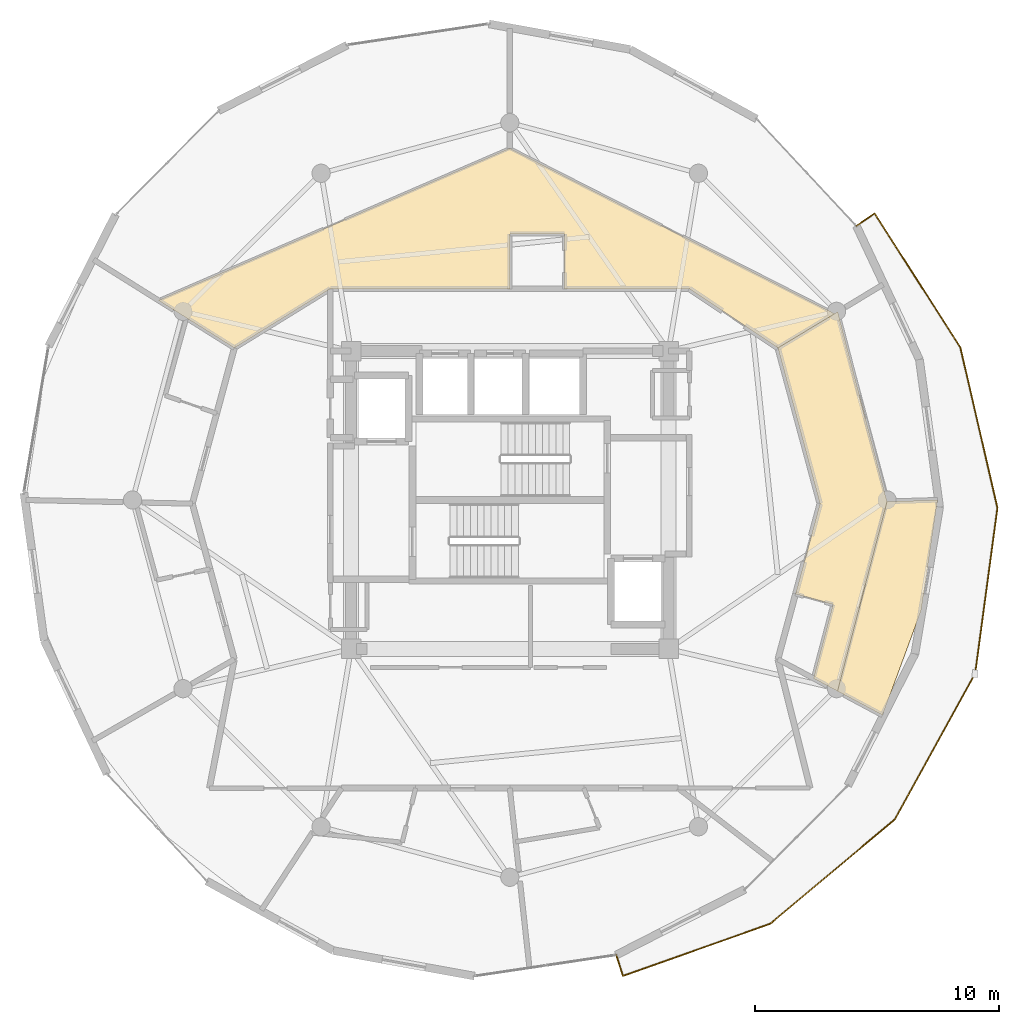
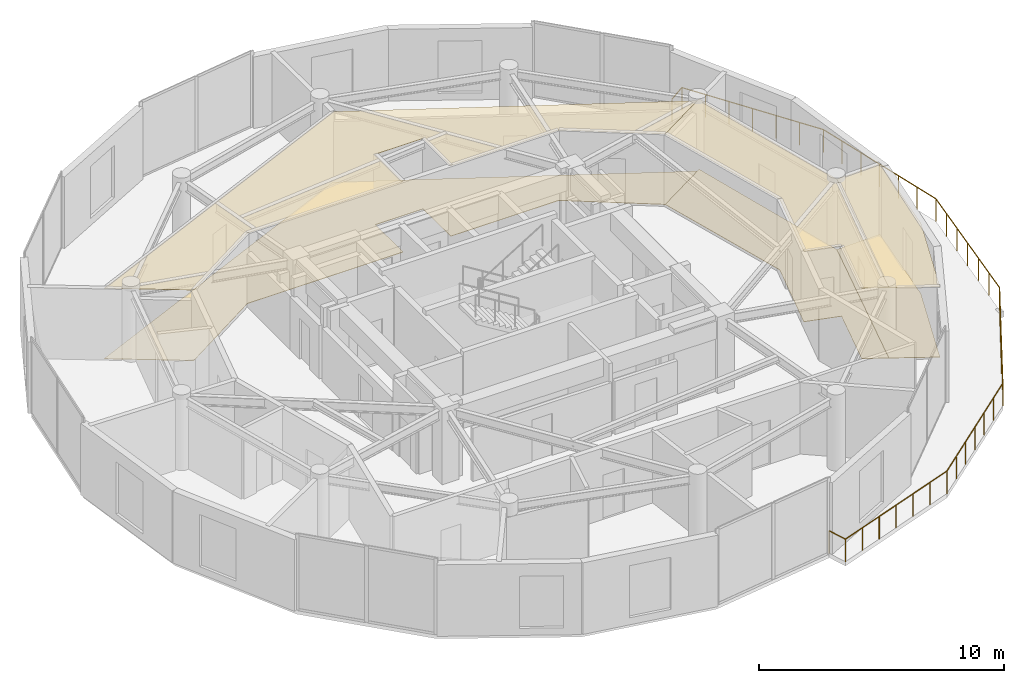
# One storey, part 23 of 23: 6 coverings, 1 railing.
"""IFC4 building model written with IfcOpenShell, lengths in metres."""

import ifcopenshell
import ifcopenshell.guid

model = None  # the IFC model being written
_history = None  # IfcOwnerHistory: only IFC2X3 demands one
_inside = {}  # id of a spatial element -> (the spatial element, [elements in it])
_under = {}  # id of a project, library or spatial element -> (it, [spatial elements below it])
_declared = {}  # id of a project -> (the project, [libraries it declares])
_typed = {}  # id of a type object -> (the type object, [elements of that type])
_made_of = {}  # id of a material, layer set ... -> (it, [elements and type objects made of it])


def new_model(schema):
    """Start an empty IFC model of exactly this schema.

    Asked for "IFC4X3", IfcOpenShell would pick the latest addendum, in which some entities
    have other attributes; the version numbers below select the first issue.
    IFC2X3 requires an IfcOwnerHistory on every rooted entity: one is made here for all.
    """
    global model, _history
    if schema == "IFC4X3":
        model = ifcopenshell.file(schema_version=(4, 3, 0, 0))
    else:
        model = ifcopenshell.file(schema=schema)
    _inside.clear()
    _under.clear()
    _declared.clear()
    _typed.clear()
    _made_of.clear()
    _history = None
    if model.schema == "IFC2X3":
        org = make("IfcOrganization", Name="unknown")
        user = make(
            "IfcPersonAndOrganization",
            ThePerson=make("IfcPerson", FamilyName="unknown"),
            TheOrganization=org,
        )
        app = make(
            "IfcApplication",
            ApplicationDeveloper=org,
            Version="unknown",
            ApplicationFullName="unknown",
            ApplicationIdentifier="unknown",
        )
        _history = make(
            "IfcOwnerHistory",
            OwningUser=user,
            OwningApplication=app,
            ChangeAction="ADDED",
            CreationDate=0,
        )
    return model


def make(cls, **values):
    """One entity of the class cls with the attributes given. An attribute that is None is left unset."""
    return model.create_entity(
        cls, **{name: value for name, value in values.items() if value is not None}
    )


def rooted(cls, **values):
    """An entity with a GlobalId (a new one), such as an element, a storey or a relation."""
    return make(cls, GlobalId=ifcopenshell.guid.new(), OwnerHistory=_history, **values)


def si_unit(unit_type, name, prefix=None):
    """IfcSIUnit, for example si_unit("LENGTHUNIT", "METRE", prefix="MILLI")."""
    return make("IfcSIUnit", UnitType=unit_type, Prefix=prefix, Name=name)


def assignment(units):
    """IfcUnitAssignment: the units of a project."""
    return None if units is None else make("IfcUnitAssignment", Units=units)


def point(xyz):
    """IfcCartesianPoint."""
    return None if xyz is None else make("IfcCartesianPoint", Coordinates=xyz)


def direction(xyz):
    """IfcDirection."""
    return None if xyz is None else make("IfcDirection", DirectionRatios=xyz)


def frame(location, z_axis=None, x_axis=None):
    """IfcAxis2Placement3D, a coordinate frame: its origin and axes. An axis left out is left unset."""
    return make(
        "IfcAxis2Placement3D",
        Location=point(location),
        Axis=direction(z_axis),
        RefDirection=direction(x_axis),
    )


def frame_2d(location, x_axis=None):
    """IfcAxis2Placement2D, a coordinate frame in the plane: its origin and x axis."""
    return make(
        "IfcAxis2Placement2D", Location=point(location), RefDirection=direction(x_axis)
    )


def origin():
    """The frame at (0, 0, 0) with its axes left unset."""
    return frame((0.0, 0.0, 0.0))


def origin_2d():
    """The frame at (0, 0) in the plane with its x axis left unset."""
    return frame_2d((0.0, 0.0))


def place(relative_to, where):
    """IfcLocalPlacement: puts the frame where relative to a parent placement (None: the world)."""
    return make(
        "IfcLocalPlacement", PlacementRelTo=relative_to, RelativePlacement=where
    )


def context(
    kind, dimensions, precision=None, world=None, true_north=None, identifier=None
):
    """IfcGeometricRepresentationContext, for example the 3D "Model" context."""
    return make(
        "IfcGeometricRepresentationContext",
        ContextIdentifier=identifier,
        ContextType=kind,
        CoordinateSpaceDimension=dimensions,
        Precision=precision,
        WorldCoordinateSystem=world,
        TrueNorth=true_north,
    )


def subcontext(parent, identifier, kind, view, scale=None):
    """IfcGeometricRepresentationSubContext, for example "Body" below "Model"."""
    return make(
        "IfcGeometricRepresentationSubContext",
        ContextIdentifier=identifier,
        ContextType=kind,
        ParentContext=parent,
        TargetScale=scale,
        TargetView=view,
    )


def project(units=None, contexts=None):
    """IfcProject with its units and contexts."""
    return rooted(
        "IfcProject",
        Name="project",
        RepresentationContexts=contexts,
        UnitsInContext=assignment(units),
    )


def spatial(cls, under=None, at=None, **own):
    """A site, building, storey or space (cls), placed at a placement, below another one or the project."""
    s = rooted(cls, ObjectPlacement=at, **own)
    if under is not None:
        _under.setdefault(under.id(), (under, []))[1].append(s)
    return s


def polyline(points):
    """IfcPolyline through the points."""
    return make("IfcPolyline", Points=[point(p) for p in points])


def profile(cls, at=None, kind="AREA", **sizes):
    """A parametric profile (cls). Its sizes go by their IFC names, for example OverallWidth=200.0."""
    return make(cls, ProfileType=kind, Position=at, **sizes)


def circle(**sizes):
    """IfcCircleProfileDef."""
    return profile("IfcCircleProfileDef", **sizes)


def outline(outer, holes=None, kind="AREA"):
    """IfcArbitraryClosedProfileDef: a profile drawn as a closed curve; with holes, ...WithVoids."""
    if holes is None:
        return make("IfcArbitraryClosedProfileDef", ProfileType=kind, OuterCurve=outer)
    return make(
        "IfcArbitraryProfileDefWithVoids",
        ProfileType=kind,
        OuterCurve=outer,
        InnerCurves=holes,
    )


def extrude(swept, where, along, depth):
    """IfcExtrudedAreaSolid: the profile swept, set in the frame where, extruded along a direction by depth."""
    return make(
        "IfcExtrudedAreaSolid",
        SweptArea=swept,
        Position=where,
        ExtrudedDirection=direction(along),
        Depth=depth,
    )


def shape(context_of_items, identifier, shape_type, items):
    """IfcShapeRepresentation: the items that make up one representation, for example the "Body"."""
    return make(
        "IfcShapeRepresentation",
        ContextOfItems=context_of_items,
        RepresentationIdentifier=identifier,
        RepresentationType=shape_type,
        Items=items,
    )


def material(Name=None, Category=None):
    """IfcMaterial."""
    return make("IfcMaterial", Name=Name, Category=Category)


def layer(
    of_material, thickness, ventilated=None, Name=None, Category=None, Priority=None
):
    """IfcMaterialLayer: one layer of a wall or slab, of a material (None: an air gap)."""
    return make(
        "IfcMaterialLayer",
        Material=of_material,
        LayerThickness=thickness,
        IsVentilated=ventilated,
        Name=Name,
        Category=Category,
        Priority=Priority,
    )


def layer_set(layers, Name=None):
    """IfcMaterialLayerSet."""
    return make("IfcMaterialLayerSet", MaterialLayers=layers, LayerSetName=Name)


def made_of(thing, what):
    """Note that an element or type object is made of a material, layer set ...; save() writes the relation."""
    if what is not None:
        _made_of.setdefault(what.id(), (what, []))[1].append(thing)
    return thing


def type_object(cls, material=None, **own):
    """A type object (cls), such as IfcWallType, which elements share."""
    return made_of(rooted(cls, **own), material)


def element(
    cls,
    number,
    at=None,
    inside=None,
    cuts=None,
    type_object=None,
    material=None,
    context=None,
    identifier="Body",
    shape_type=None,
    held_by="IfcProductDefinitionShape",
    body=None,
    shapes=None,
    **own,
):
    """One element of the class cls, such as IfcWall. Its Tag is "e" and its number.

    at: its placement. inside: the storey or other place that contains it. cuts: it is an
    opening in that element (IfcRelVoidsElement). A single representation is given by context,
    identifier, shape_type and body (its items); several are given by shapes. held_by: the class
    of the entity that holds the representations. save() writes the other relations.
    """
    e = rooted(cls, Tag="e%d" % number, ObjectPlacement=at, **own)
    if body is not None:
        shapes = [shape(context, identifier, shape_type, body)]
    if shapes is not None:
        e.Representation = make(held_by, Representations=shapes)
    if inside is not None:
        _inside.setdefault(inside.id(), (inside, []))[1].append(e)
    if cuts is not None:
        rooted(
            "IfcRelVoidsElement", RelatingBuildingElement=cuts, RelatedOpeningElement=e
        )
    if type_object is not None:
        _typed.setdefault(type_object.id(), (type_object, []))[1].append(e)
    return made_of(e, material)


def aggregate(whole, parts):
    """IfcRelAggregates: a whole, such as a stair, and the parts it consists of."""
    return rooted("IfcRelAggregates", RelatingObject=whole, RelatedObjects=parts)


def save(model, path):
    """Write the relations noted so far, then the file.

    IfcRelAggregates (storeys below a building ...), IfcRelContainedInSpatialStructure (elements
    in a storey), IfcRelDefinesByType, IfcRelAssociatesMaterial and IfcRelDeclares: one each for
    every whole, place, type object, material and project.
    """
    for whole, parts in _under.values():
        aggregate(whole, parts)
    for where, things in _inside.values():
        rooted(
            "IfcRelContainedInSpatialStructure",
            RelatedElements=things,
            RelatingStructure=where,
        )
    for kind, things in _typed.values():
        rooted("IfcRelDefinesByType", RelatedObjects=things, RelatingType=kind)
    for what, things in _made_of.values():
        rooted("IfcRelAssociatesMaterial", RelatedObjects=things, RelatingMaterial=what)
    for by, libraries in _declared.values():
        rooted("IfcRelDeclares", RelatingContext=by, RelatedDefinitions=libraries)
    model.write(path)


model = new_model("IFC4")

# Units and contexts
model_context = context("Model", 3, precision=1e-05, world=origin(), true_north=direction((0.0, 1.0)))
body_context = subcontext(model_context, "Body", "Model", "MODEL_VIEW")
ifc_project = project(units=[si_unit("LENGTHUNIT", "METRE"), si_unit("AREAUNIT", "SQUARE_METRE"), si_unit("VOLUMEUNIT", "CUBIC_METRE"), si_unit("PLANEANGLEUNIT", "RADIAN"), si_unit("MASSUNIT", "GRAM", prefix="KILO")], contexts=[model_context])

# Site, building, storey
site_placement = place(None, origin())
site = spatial("IfcSite", under=ifc_project, at=site_placement, CompositionType="ELEMENT")
building_placement = place(site_placement, origin())
building = spatial("IfcBuilding", under=site, at=building_placement, Name="Solvirekh Grand Hotel", CompositionType="ELEMENT")
storey_placement = place(building_placement, frame((0.0, 0.0, 282.0)))
storey = spatial("IfcBuildingStorey", under=building, at=storey_placement, Name="L73", CompositionType="ELEMENT", Elevation=282.0)

# Coverings
ifc_material_1 = material(Name="Acoustic Mineral Ceiling Tile")
ifc_layer_1 = layer(ifc_material_1, 0.02490234375)
ifc_layer_set_1 = layer_set([ifc_layer_1], Name="Acoustic Mineral Ceiling Tile")
covering_type_1 = type_object("IfcCoveringType", Name="Cov_Ceiling_Acoustic", PredefinedType="CEILING", material=ifc_layer_set_1)
covering_1_placement = place(storey_placement, frame((0.0, 0.0, 3.52001953125)))
element("IfcCovering", 1, at=covering_1_placement, inside=storey, type_object=covering_type_1, Name="L73 Panorama Suite 7501 Inner Suite Lounge acoustic ceiling", PredefinedType="CEILING", context=body_context, shape_type="SweptSolid", body=[
    extrude(outline(polyline([(0.0, 8.64990234375), (0.0, 10.89990234375), (2.25, 10.89990234375), (2.25, 8.64990234375), (7.35009765625, 8.64990234375), (10.97802734375, 6.22509765625), (13.302001953125, 7.6279296875), (0.0, 14.403076171875), (-14.389892578125, 8.176025390625), (-11.278076171875, 6.22509765625), (-7.35009765625, 8.64990234375), (0.0, 8.64990234375)])), origin(), (0.0, 0.0, 1.0), 0.01806640625),
])
covering_2_placement = place(storey_placement, frame((0.0, 0.0, 3.52001953125)))
element("IfcCovering", 2, at=covering_2_placement, inside=storey, type_object=covering_type_1, Name="L73 Executive Suite 7504 Living Room acoustic ceiling", PredefinedType="CEILING", context=body_context, shape_type="SweptSolid", body=[
    extrude(outline(polyline([(13.23388671875, -4.277099609375), (12.43505859375, -7.302978515625), (13.419921875, -7.8291015625), (15.447021484375, -0.06494140625), (13.430908203125, 7.7060546875), (10.97802734375, 6.22509765625), (12.699951171875, -0.14990234375), (11.700927734375, -3.847900390625), (13.23388671875, -4.277099609375)])), origin(), (0.0, 0.0, 1.0), 0.01806640625),
])
covering_3_placement = place(storey_placement, frame((0.0, 0.0, 3.52001953125)))
element("IfcCovering", 3, at=covering_3_placement, inside=storey, type_object=covering_type_1, Name="L73 Executive Suite 7504 Master Bedroom acoustic ceiling", PredefinedType="CEILING", context=body_context, shape_type="SweptSolid", body=[
    extrude(outline(polyline([(15.262939453125, -8.81201171875), (16.847900390625, -4.513916015625), (17.51904296875, 0.0), (15.447021484375, -0.06494140625), (13.419921875, -7.8291015625), (15.262939453125, -8.81201171875)])), origin(), (0.0, 0.0, 1.0), 0.01806640625),
])
ifc_material_2 = material(Name="Porcelain Stoneware Flooring", Category="masonry")
ifc_layer_2 = layer(ifc_material_2, 0.030029296875)
ifc_layer_set_2 = layer_set([ifc_layer_2], Name="Porcelain Stoneware Flooring")
covering_type_2 = type_object("IfcCoveringType", Name="Cov_Floor_Stone", PredefinedType="FLOORING", material=ifc_layer_set_2)
covering_4_placement = place(storey_placement, origin())
element("IfcCovering", 4, at=covering_4_placement, inside=storey, type_object=covering_type_2, Name="L73 Panorama Suite 7501 Inner Suite Lounge polished granite flooring", PredefinedType="FLOORING", context=body_context, shape_type="SweptSolid", body=[
    extrude(outline(polyline([(0.0, 8.64990234375), (0.0, 10.89990234375), (2.25, 10.89990234375), (2.25, 8.64990234375), (7.35009765625, 8.64990234375), (10.97802734375, 6.22509765625), (13.302001953125, 7.6279296875), (0.0, 14.403076171875), (-14.389892578125, 8.176025390625), (-11.278076171875, 6.22509765625), (-7.35009765625, 8.64990234375), (0.0, 8.64990234375)])), origin(), (0.0, 0.0, 1.0), 0.02001953125),
])
covering_5_placement = place(storey_placement, origin())
element("IfcCovering", 5, at=covering_5_placement, inside=storey, type_object=covering_type_2, Name="L73 Executive Suite 7504 Living Room polished granite flooring", PredefinedType="FLOORING", context=body_context, shape_type="SweptSolid", body=[
    extrude(outline(polyline([(13.23388671875, -4.277099609375), (12.43505859375, -7.302978515625), (13.419921875, -7.8291015625), (15.447021484375, -0.06494140625), (13.430908203125, 7.7060546875), (10.97802734375, 6.22509765625), (12.699951171875, -0.14990234375), (11.700927734375, -3.847900390625), (13.23388671875, -4.277099609375)])), origin(), (0.0, 0.0, 1.0), 0.02001953125),
])
covering_6_placement = place(storey_placement, origin())
element("IfcCovering", 6, at=covering_6_placement, inside=storey, type_object=covering_type_2, Name="L73 Executive Suite 7504 Master Bedroom polished granite flooring", PredefinedType="FLOORING", context=body_context, shape_type="SweptSolid", body=[
    extrude(outline(polyline([(15.262939453125, -8.81201171875), (16.847900390625, -4.513916015625), (17.51904296875, 0.0), (15.447021484375, -0.06494140625), (13.419921875, -7.8291015625), (15.262939453125, -8.81201171875)])), origin(), (0.0, 0.0, 1.0), 0.02001953125),
])

# Railing
ifc_material_3 = material(Name="Anodized Bronze Aluminium 6063-T6", Category="aluminium")
railing_type = type_object("IfcRailingType", Name="Guard_ExtGlass_1150", PredefinedType="BALUSTRADE", material=ifc_material_3)
railing_placement = place(storey_placement, frame((4.35888671875, -18.632080078125, 0.0)))
element("IfcRailing", 7, at=railing_placement, inside=storey, type_object=railing_type, Name="L73 balc perimeter glass balustrade", PredefinedType="BALUSTRADE", context=body_context, shape_type="SweptSolid", body=[
    extrude(circle(Radius=0.02392578125, at=origin_2d()), frame((0.0, 0.0, 1.1259765625), z_axis=(0.305710621982, -0.95212447485, 0.0), x_axis=(0.95212447485, 0.305710621982, 0.0)), (0.0, 0.0, 1.0), 0.89990234375),
    extrude(circle(Radius=0.02392578125, at=origin_2d()), frame((0.275146484375, -0.85693359375, 1.1259765625), z_axis=(0.942698807049, 0.333644959782, 0.0), x_axis=(-0.333644959782, 0.942698807049, 0.0)), (0.0, 0.0, 1.0), 6.393310546875),
    extrude(circle(Radius=0.02392578125, at=origin_2d()), frame((6.302001953125, 1.276123046875, 1.1259765625), z_axis=(0.766698059071, 0.642007855261, 0.0), x_axis=(-0.642007855261, 0.766698059071, 0.0)), (0.0, 0.0, 1.0), 6.6572265625),
    extrude(circle(Radius=0.02392578125, at=origin_2d()), frame((11.406005859375, 5.550048828125, 1.1259765625), z_axis=(0.482876631467, 0.875688391372, 0.0), x_axis=(-0.875688391372, 0.482876631467, 0.0)), (0.0, 0.0, 1.0), 6.8173828125),
    extrude(circle(Radius=0.02392578125, at=origin_2d()), frame((14.697998046875, 11.52001953125, 1.1259765625), z_axis=(0.133312365969, 0.99107407043, 0.0), x_axis=(-0.99107407043, 0.133312365969, 0.0)), (0.0, 0.0, 1.0), 6.84912109375),
    extrude(circle(Radius=0.02392578125, at=origin_2d()), frame((15.611083984375, 18.30810546875, 1.1259765625), z_axis=(-0.225232262047, 0.974305100127, 0.0), x_axis=(-0.974305100127, -0.225232262047, 0.0)), (0.0, 0.0, 1.0), 6.744384765625),
    extrude(circle(Radius=0.02392578125, at=origin_2d()), frame((14.092041015625, 24.879150390625, 1.1259765625), z_axis=(-0.539233454372, 0.842156328532, 0.0), x_axis=(-0.842156328532, -0.539233454372, 0.0)), (0.0, 0.0, 1.0), 6.512939453125),
    extrude(circle(Radius=0.02392578125, at=origin_2d()), frame((10.580078125, 30.364013671875, 1.1259765625), z_axis=(-0.828109472136, -0.560566411907, 0.0), x_axis=(0.560566411907, -0.828109472136, 0.0)), (0.0, 0.0, 1.0), 0.900634765625),
    extrude(circle(Radius=0.02099609375, at=origin_2d()), origin(), (0.0, 0.0, 1.0), 1.101806640625),
    extrude(circle(Radius=0.02099609375, at=origin_2d()), frame((0.275146484375, -0.85693359375, 0.0)), (0.0, 0.0, 1.0), 1.101806640625),
    extrude(circle(Radius=0.02099609375, at=origin_2d()), frame((1.279541015625, -0.50146484375, 0.0)), (0.0, 0.0, 1.0), 1.101806640625),
    extrude(circle(Radius=0.02099609375, at=origin_2d()), frame((2.2841796875, -0.14599609375, 0.0)), (0.0, 0.0, 1.0), 1.101806640625),
    extrude(circle(Radius=0.02099609375, at=origin_2d()), frame((3.28857421875, 0.20947265625, 0.0)), (0.0, 0.0, 1.0), 1.101806640625),
    extrude(circle(Radius=0.02099609375, at=origin_2d()), frame((4.29296875, 0.565185546875, 0.0)), (0.0, 0.0, 1.0), 1.101806640625),
    extrude(circle(Radius=0.02099609375, at=origin_2d()), frame((5.297607421875, 0.920654296875, 0.0)), (0.0, 0.0, 1.0), 1.101806640625),
    extrude(circle(Radius=0.02099609375, at=origin_2d()), frame((6.302001953125, 1.276123046875, 0.0)), (0.0, 0.0, 1.0), 1.101806640625),
    extrude(circle(Radius=0.02099609375, at=origin_2d()), frame((7.152587890625, 1.988525390625, 0.0)), (0.0, 0.0, 1.0), 1.101806640625),
    extrude(circle(Radius=0.02099609375, at=origin_2d()), frame((8.00341796875, 2.70068359375, 0.0)), (0.0, 0.0, 1.0), 1.101806640625),
    extrude(circle(Radius=0.02099609375, at=origin_2d()), frame((8.85400390625, 3.4130859375, 0.0)), (0.0, 0.0, 1.0), 1.101806640625),
    extrude(circle(Radius=0.02099609375, at=origin_2d()), frame((9.70458984375, 4.12548828125, 0.0)), (0.0, 0.0, 1.0), 1.101806640625),
    extrude(circle(Radius=0.02099609375, at=origin_2d()), frame((10.555419921875, 4.837646484375, 0.0)), (0.0, 0.0, 1.0), 1.101806640625),
    extrude(circle(Radius=0.02099609375, at=origin_2d()), frame((11.406005859375, 5.550048828125, 0.0)), (0.0, 0.0, 1.0), 1.101806640625),
    extrude(circle(Radius=0.02099609375, at=origin_2d()), frame((11.95458984375, 6.544921875, 0.0)), (0.0, 0.0, 1.0), 1.101806640625),
    extrude(circle(Radius=0.02099609375, at=origin_2d()), frame((12.50341796875, 7.5400390625, 0.0)), (0.0, 0.0, 1.0), 1.101806640625),
    extrude(circle(Radius=0.02099609375, at=origin_2d()), frame((13.052001953125, 8.53515625, 0.0)), (0.0, 0.0, 1.0), 1.101806640625),
    extrude(circle(Radius=0.02099609375, at=origin_2d()), frame((13.6005859375, 9.530029296875, 0.0)), (0.0, 0.0, 1.0), 1.101806640625),
    extrude(circle(Radius=0.02099609375, at=origin_2d()), frame((14.1494140625, 10.52490234375, 0.0)), (0.0, 0.0, 1.0), 1.101806640625),
    extrude(circle(Radius=0.02099609375, at=origin_2d()), frame((14.697998046875, 11.52001953125, 0.0)), (0.0, 0.0, 1.0), 1.101806640625),
    extrude(circle(Radius=0.02099609375, at=origin_2d()), frame((14.85009765625, 12.6513671875, 0.0)), (0.0, 0.0, 1.0), 1.101806640625),
    extrude(circle(Radius=0.02099609375, at=origin_2d()), frame((15.00244140625, 13.78271484375, 0.0)), (0.0, 0.0, 1.0), 1.101806640625),
    extrude(circle(Radius=0.02099609375, at=origin_2d()), frame((15.154541015625, 14.9140625, 0.0)), (0.0, 0.0, 1.0), 1.101806640625),
    extrude(circle(Radius=0.02099609375, at=origin_2d()), frame((15.306640625, 16.04541015625, 0.0)), (0.0, 0.0, 1.0), 1.101806640625),
    extrude(circle(Radius=0.02099609375, at=origin_2d()), frame((15.458984375, 17.1767578125, 0.0)), (0.0, 0.0, 1.0), 1.101806640625),
    extrude(circle(Radius=0.02099609375, at=origin_2d()), frame((15.611083984375, 18.30810546875, 0.0)), (0.0, 0.0, 1.0), 1.101806640625),
    extrude(circle(Radius=0.02099609375, at=origin_2d()), frame((15.35791015625, 19.4033203125, 0.0)), (0.0, 0.0, 1.0), 1.101806640625),
    extrude(circle(Radius=0.02099609375, at=origin_2d()), frame((15.104736328125, 20.49853515625, 0.0)), (0.0, 0.0, 1.0), 1.101806640625),
    extrude(circle(Radius=0.02099609375, at=origin_2d()), frame((14.8515625, 21.59375, 0.0)), (0.0, 0.0, 1.0), 1.101806640625),
    extrude(circle(Radius=0.02099609375, at=origin_2d()), frame((14.598388671875, 22.688720703125, 0.0)), (0.0, 0.0, 1.0), 1.101806640625),
    extrude(circle(Radius=0.02099609375, at=origin_2d()), frame((14.34521484375, 23.783935546875, 0.0)), (0.0, 0.0, 1.0), 1.101806640625),
    extrude(circle(Radius=0.02099609375, at=origin_2d()), frame((14.092041015625, 24.879150390625, 0.0)), (0.0, 0.0, 1.0), 1.101806640625),
    extrude(circle(Radius=0.02099609375, at=origin_2d()), frame((13.5068359375, 25.793212890625, 0.0)), (0.0, 0.0, 1.0), 1.101806640625),
    extrude(circle(Radius=0.02099609375, at=origin_2d()), frame((12.92138671875, 26.70751953125, 0.0)), (0.0, 0.0, 1.0), 1.101806640625),
    extrude(circle(Radius=0.02099609375, at=origin_2d()), frame((12.3359375, 27.62158203125, 0.0)), (0.0, 0.0, 1.0), 1.101806640625),
    extrude(circle(Radius=0.02099609375, at=origin_2d()), frame((11.750732421875, 28.53564453125, 0.0)), (0.0, 0.0, 1.0), 1.101806640625),
    extrude(circle(Radius=0.02099609375, at=origin_2d()), frame((11.16552734375, 29.449951171875, 0.0)), (0.0, 0.0, 1.0), 1.101806640625),
    extrude(circle(Radius=0.02099609375, at=origin_2d()), frame((10.580078125, 30.364013671875, 0.0)), (0.0, 0.0, 1.0), 1.101806640625),
    extrude(circle(Radius=0.02099609375, at=origin_2d()), frame((9.834228515625, 29.859130859375, 0.0)), (0.0, 0.0, 1.0), 1.101806640625),
])

save(model, "model.ifc")
